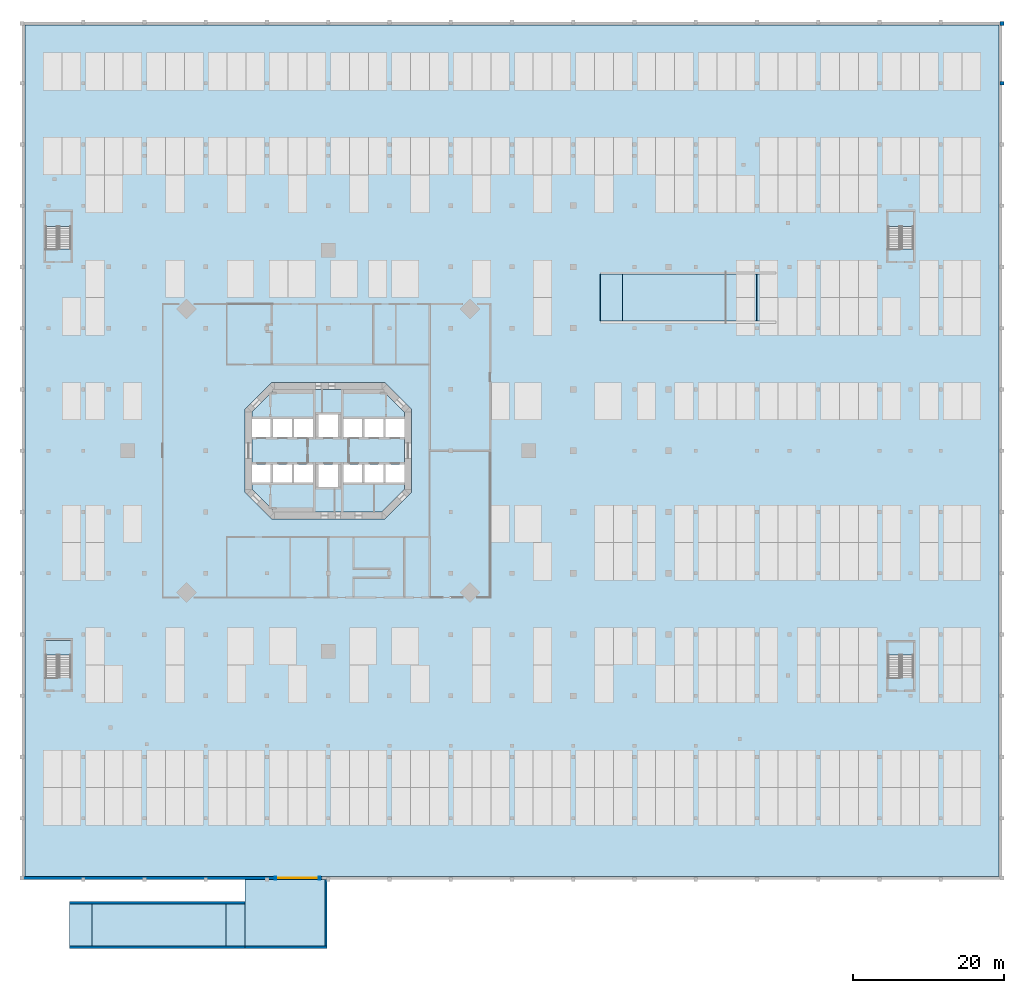
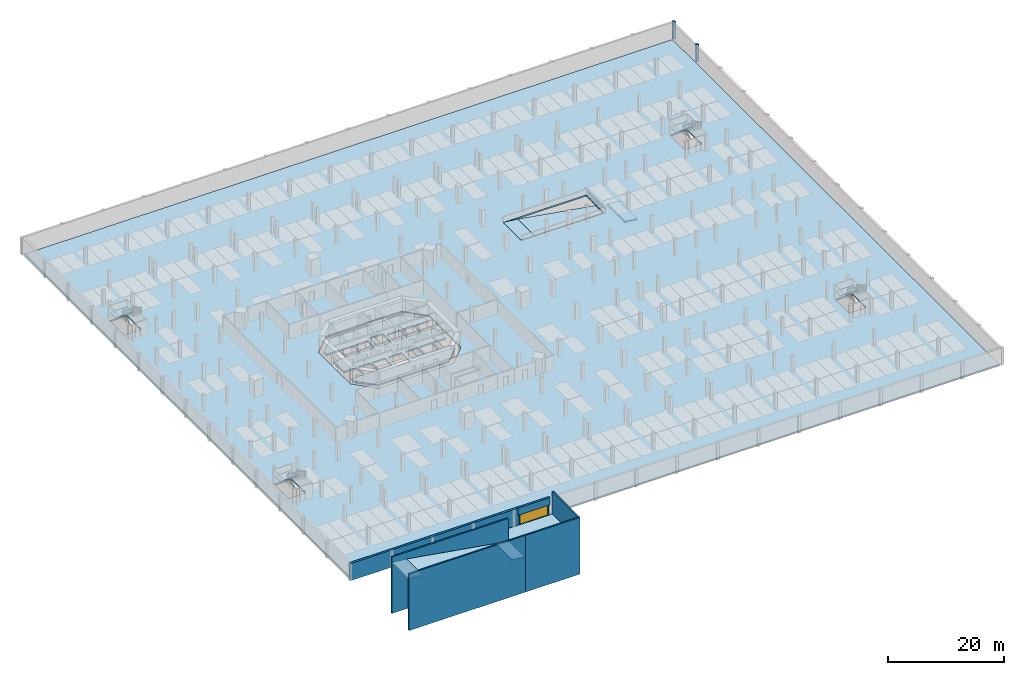
# One storey, part 2 of 14: 13 slabs, 6 walls, 2 columns, 1 beam, 1 door, 1 opening, 4 elements without a shape of their own.
"""IFC4 building model written with IfcOpenShell, lengths in metres."""

import ifcopenshell
import ifcopenshell.guid

model = None  # the IFC model being written
_history = None  # IfcOwnerHistory: only IFC2X3 demands one
_inside = {}  # id of a spatial element -> (the spatial element, [elements in it])
_under = {}  # id of a project, library or spatial element -> (it, [spatial elements below it])
_declared = {}  # id of a project -> (the project, [libraries it declares])
_typed = {}  # id of a type object -> (the type object, [elements of that type])
_made_of = {}  # id of a material, layer set ... -> (it, [elements and type objects made of it])


def new_model(schema):
    """Start an empty IFC model of exactly this schema.

    Asked for "IFC4X3", IfcOpenShell would pick the latest addendum, in which some entities
    have other attributes; the version numbers below select the first issue.
    IFC2X3 requires an IfcOwnerHistory on every rooted entity: one is made here for all.
    """
    global model, _history
    if schema == "IFC4X3":
        model = ifcopenshell.file(schema_version=(4, 3, 0, 0))
    else:
        model = ifcopenshell.file(schema=schema)
    _inside.clear()
    _under.clear()
    _declared.clear()
    _typed.clear()
    _made_of.clear()
    _history = None
    if model.schema == "IFC2X3":
        org = make("IfcOrganization", Name="unknown")
        user = make(
            "IfcPersonAndOrganization",
            ThePerson=make("IfcPerson", FamilyName="unknown"),
            TheOrganization=org,
        )
        app = make(
            "IfcApplication",
            ApplicationDeveloper=org,
            Version="unknown",
            ApplicationFullName="unknown",
            ApplicationIdentifier="unknown",
        )
        _history = make(
            "IfcOwnerHistory",
            OwningUser=user,
            OwningApplication=app,
            ChangeAction="ADDED",
            CreationDate=0,
        )
    return model


def make(cls, **values):
    """One entity of the class cls with the attributes given. An attribute that is None is left unset."""
    return model.create_entity(
        cls, **{name: value for name, value in values.items() if value is not None}
    )


def rooted(cls, **values):
    """An entity with a GlobalId (a new one), such as an element, a storey or a relation."""
    return make(cls, GlobalId=ifcopenshell.guid.new(), OwnerHistory=_history, **values)


def si_unit(unit_type, name, prefix=None):
    """IfcSIUnit, for example si_unit("LENGTHUNIT", "METRE", prefix="MILLI")."""
    return make("IfcSIUnit", UnitType=unit_type, Prefix=prefix, Name=name)


def assignment(units):
    """IfcUnitAssignment: the units of a project."""
    return None if units is None else make("IfcUnitAssignment", Units=units)


def point(xyz):
    """IfcCartesianPoint."""
    return None if xyz is None else make("IfcCartesianPoint", Coordinates=xyz)


def direction(xyz):
    """IfcDirection."""
    return None if xyz is None else make("IfcDirection", DirectionRatios=xyz)


def frame(location, z_axis=None, x_axis=None):
    """IfcAxis2Placement3D, a coordinate frame: its origin and axes. An axis left out is left unset."""
    return make(
        "IfcAxis2Placement3D",
        Location=point(location),
        Axis=direction(z_axis),
        RefDirection=direction(x_axis),
    )


def frame_2d(location, x_axis=None):
    """IfcAxis2Placement2D, a coordinate frame in the plane: its origin and x axis."""
    return make(
        "IfcAxis2Placement2D", Location=point(location), RefDirection=direction(x_axis)
    )


def origin():
    """The frame at (0, 0, 0) with its axes left unset."""
    return frame((0.0, 0.0, 0.0))


def origin_2d():
    """The frame at (0, 0) in the plane with its x axis left unset."""
    return frame_2d((0.0, 0.0))


def place(relative_to, where):
    """IfcLocalPlacement: puts the frame where relative to a parent placement (None: the world)."""
    return make(
        "IfcLocalPlacement", PlacementRelTo=relative_to, RelativePlacement=where
    )


def context(
    kind, dimensions, precision=None, world=None, true_north=None, identifier=None
):
    """IfcGeometricRepresentationContext, for example the 3D "Model" context."""
    return make(
        "IfcGeometricRepresentationContext",
        ContextIdentifier=identifier,
        ContextType=kind,
        CoordinateSpaceDimension=dimensions,
        Precision=precision,
        WorldCoordinateSystem=world,
        TrueNorth=true_north,
    )


def subcontext(parent, identifier, kind, view, scale=None):
    """IfcGeometricRepresentationSubContext, for example "Body" below "Model"."""
    return make(
        "IfcGeometricRepresentationSubContext",
        ContextIdentifier=identifier,
        ContextType=kind,
        ParentContext=parent,
        TargetScale=scale,
        TargetView=view,
    )


def project(units=None, contexts=None):
    """IfcProject with its units and contexts."""
    return rooted(
        "IfcProject",
        Name="project",
        RepresentationContexts=contexts,
        UnitsInContext=assignment(units),
    )


def spatial(cls, under=None, at=None, **own):
    """A site, building, storey or space (cls), placed at a placement, below another one or the project."""
    s = rooted(cls, ObjectPlacement=at, **own)
    if under is not None:
        _under.setdefault(under.id(), (under, []))[1].append(s)
    return s


def polyline(points):
    """IfcPolyline through the points."""
    return make("IfcPolyline", Points=[point(p) for p in points])


def profile(cls, at=None, kind="AREA", **sizes):
    """A parametric profile (cls). Its sizes go by their IFC names, for example OverallWidth=200.0."""
    return make(cls, ProfileType=kind, Position=at, **sizes)


def rectangle(**sizes):
    """IfcRectangleProfileDef."""
    return profile("IfcRectangleProfileDef", **sizes)


def outline(outer, holes=None, kind="AREA"):
    """IfcArbitraryClosedProfileDef: a profile drawn as a closed curve; with holes, ...WithVoids."""
    if holes is None:
        return make("IfcArbitraryClosedProfileDef", ProfileType=kind, OuterCurve=outer)
    return make(
        "IfcArbitraryProfileDefWithVoids",
        ProfileType=kind,
        OuterCurve=outer,
        InnerCurves=holes,
    )


def extrude(swept, where, along, depth):
    """IfcExtrudedAreaSolid: the profile swept, set in the frame where, extruded along a direction by depth."""
    return make(
        "IfcExtrudedAreaSolid",
        SweptArea=swept,
        Position=where,
        ExtrudedDirection=direction(along),
        Depth=depth,
    )


def shape(context_of_items, identifier, shape_type, items):
    """IfcShapeRepresentation: the items that make up one representation, for example the "Body"."""
    return make(
        "IfcShapeRepresentation",
        ContextOfItems=context_of_items,
        RepresentationIdentifier=identifier,
        RepresentationType=shape_type,
        Items=items,
    )


def material(Name=None, Category=None):
    """IfcMaterial."""
    return make("IfcMaterial", Name=Name, Category=Category)


def layer(
    of_material, thickness, ventilated=None, Name=None, Category=None, Priority=None
):
    """IfcMaterialLayer: one layer of a wall or slab, of a material (None: an air gap)."""
    return make(
        "IfcMaterialLayer",
        Material=of_material,
        LayerThickness=thickness,
        IsVentilated=ventilated,
        Name=Name,
        Category=Category,
        Priority=Priority,
    )


def layer_set(layers, Name=None):
    """IfcMaterialLayerSet."""
    return make("IfcMaterialLayerSet", MaterialLayers=layers, LayerSetName=Name)


def material_profile(
    of_material, cross_section, Name=None, Category=None, Priority=None
):
    """IfcMaterialProfile: a cross section and its material."""
    return make(
        "IfcMaterialProfile",
        Name=Name,
        Material=of_material,
        Profile=cross_section,
        Priority=Priority,
        Category=Category,
    )


def profile_set(profiles, Name=None, composite=None):
    """IfcMaterialProfileSet."""
    return make(
        "IfcMaterialProfileSet",
        Name=Name,
        MaterialProfiles=profiles,
        CompositeProfile=composite,
    )


def made_of(thing, what):
    """Note that an element or type object is made of a material, layer set ...; save() writes the relation."""
    if what is not None:
        _made_of.setdefault(what.id(), (what, []))[1].append(thing)
    return thing


def type_object(cls, material=None, **own):
    """A type object (cls), such as IfcWallType, which elements share."""
    return made_of(rooted(cls, **own), material)


def element(
    cls,
    number,
    at=None,
    inside=None,
    cuts=None,
    type_object=None,
    material=None,
    context=None,
    identifier="Body",
    shape_type=None,
    held_by="IfcProductDefinitionShape",
    body=None,
    shapes=None,
    **own,
):
    """One element of the class cls, such as IfcWall. Its Tag is "e" and its number.

    at: its placement. inside: the storey or other place that contains it. cuts: it is an
    opening in that element (IfcRelVoidsElement). A single representation is given by context,
    identifier, shape_type and body (its items); several are given by shapes. held_by: the class
    of the entity that holds the representations. save() writes the other relations.
    """
    e = rooted(cls, Tag="e%d" % number, ObjectPlacement=at, **own)
    if body is not None:
        shapes = [shape(context, identifier, shape_type, body)]
    if shapes is not None:
        e.Representation = make(held_by, Representations=shapes)
    if inside is not None:
        _inside.setdefault(inside.id(), (inside, []))[1].append(e)
    if cuts is not None:
        rooted(
            "IfcRelVoidsElement", RelatingBuildingElement=cuts, RelatedOpeningElement=e
        )
    if type_object is not None:
        _typed.setdefault(type_object.id(), (type_object, []))[1].append(e)
    return made_of(e, material)


def fill(opening, filler):
    """IfcRelFillsElement: the door or window that sits in an opening."""
    return rooted(
        "IfcRelFillsElement",
        RelatingOpeningElement=opening,
        RelatedBuildingElement=filler,
    )


def aggregate(whole, parts):
    """IfcRelAggregates: a whole, such as a stair, and the parts it consists of."""
    return rooted("IfcRelAggregates", RelatingObject=whole, RelatedObjects=parts)


def save(model, path):
    """Write the relations noted so far, then the file.

    IfcRelAggregates (storeys below a building ...), IfcRelContainedInSpatialStructure (elements
    in a storey), IfcRelDefinesByType, IfcRelAssociatesMaterial and IfcRelDeclares: one each for
    every whole, place, type object, material and project.
    """
    for whole, parts in _under.values():
        aggregate(whole, parts)
    for where, things in _inside.values():
        rooted(
            "IfcRelContainedInSpatialStructure",
            RelatedElements=things,
            RelatingStructure=where,
        )
    for kind, things in _typed.values():
        rooted("IfcRelDefinesByType", RelatedObjects=things, RelatingType=kind)
    for what, things in _made_of.values():
        rooted("IfcRelAssociatesMaterial", RelatedObjects=things, RelatingMaterial=what)
    for by, libraries in _declared.values():
        rooted("IfcRelDeclares", RelatingContext=by, RelatedDefinitions=libraries)
    model.write(path)


model = new_model("IFC4")

# Units and contexts
model_context = context("Model", 3, precision=1e-05, world=origin(), true_north=direction((0.0, 1.0)))
body_context = subcontext(model_context, "Body", "Model", "MODEL_VIEW")
ifc_project = project(units=[si_unit("LENGTHUNIT", "METRE"), si_unit("AREAUNIT", "SQUARE_METRE"), si_unit("VOLUMEUNIT", "CUBIC_METRE"), si_unit("PLANEANGLEUNIT", "RADIAN"), si_unit("MASSUNIT", "GRAM", prefix="KILO")], contexts=[model_context])

# Site, building, storey
site_placement = place(None, origin())
site = spatial("IfcSite", under=ifc_project, at=site_placement, CompositionType="ELEMENT")
building_placement = place(site_placement, origin())
building = spatial("IfcBuilding", under=site, at=building_placement, Name="Torre Triforio", CompositionType="ELEMENT")
storey_placement = place(building_placement, frame((0.0, 0.0, -3.60009765625)))
storey = spatial("IfcBuildingStorey", under=building, at=storey_placement, Name="B1", CompositionType="ELEMENT", Elevation=-3.60009765625)

# Columns
ifc_material_1 = material(Name="Concrete C50", Category="concrete")
ifc_material_profile_1 = material_profile(ifc_material_1, rectangle(XDim=0.5, YDim=0.5, at=origin_2d()), Name="RC 500x500")
ifc_profile_set_1 = profile_set([ifc_material_profile_1], Name="Concrete C50")
column_type = type_object("IfcColumnType", Name="Column RC 500x500 C50", PredefinedType="COLUMN", material=ifc_profile_set_1)
for number, where, z_axis, x_axis, name in (
    (1, (89.10009765625, 48.60009765625, 0.0), (0.0, 0.0, 1.0), (1.0, 0.0, 0.0), "COL.G.B1.17-N"),
    (2, (89.10009765625, 56.5, 0.0), (0.0, 0.0, 1.0), (1.0, 0.0, 0.0), "COL.G.B1.17-O"),
):
    element("IfcColumn", number, at=place(storey_placement, frame(where, z_axis=z_axis, x_axis=x_axis)), inside=storey, type_object=column_type, Name=name, PredefinedType="COLUMN", context=body_context, shape_type="SweptSolid", body=[
        extrude(rectangle(XDim=0.5, YDim=0.5, at=origin_2d()), origin(), (0.0, 0.0, 1.0), 3.60009765625),
    ])

# Beam
ifc_material_2 = material(Name="Concrete C40", Category="concrete")
ifc_material_profile_2 = material_profile(ifc_material_2, rectangle(XDim=0.39990234375, YDim=1.5, at=origin_2d()), Name="RC 400x1500")
ifc_profile_set_2 = profile_set([ifc_material_profile_2], Name="Concrete C40")
beam_type = type_object("IfcBeamType", Name="Lintel beam RC 400x1500 C40", PredefinedType="LINTEL", material=ifc_profile_set_2)
beam_placement = place(storey_placement, frame((-7.25, -56.5, 2.85009765625), z_axis=(1.0, 0.0, 0.0), x_axis=(0.0, 1.0, 0.0)))
element("IfcBeam", 3, at=beam_placement, inside=storey, type_object=beam_type, Name="BM.LINTEL.B1.S", PredefinedType="LINTEL", context=body_context, shape_type="SweptSolid", body=[
    extrude(rectangle(XDim=0.39990234375, YDim=1.5, at=origin_2d()), origin(), (0.0, 0.0, 1.0), 6.39990234375),
])

# Slabs
ifc_layer_1 = layer(ifc_material_2, 0.300048828125)
ifc_layer_set_1 = layer_set([ifc_layer_1], Name="Concrete C40")
slab_type_1 = type_object("IfcSlabType", Name="B1 vehicle apron slab 300", PredefinedType="BASESLAB", material=ifc_layer_set_1)
slab_1_placement = place(storey_placement, frame((0.0, 0.0, -0.2998046875)))
element("IfcSlab", 4, at=slab_1_placement, inside=storey, type_object=slab_type_1, Name="B1 vehicle apron", PredefinedType="BASESLAB", context=body_context, shape_type="SweptSolid", body=[
    extrude(outline(polyline([(-11.0, -65.5), (-0.449951171875, -65.5), (-0.449951171875, -56.699951171875), (-11.0, -56.699951171875), (-11.0, -65.5)])), origin(), (0.0, 0.0, 1.0), 0.2998046875),
])
ifc_material_3 = material(Name="Concrete C60", Category="concrete")
ifc_layer_2 = layer(ifc_material_3, 0.320068359375)
ifc_layer_set_2 = layer_set([ifc_layer_2], Name="Concrete C60")
slab_type_2 = type_object("IfcSlabType", Name="Core floor slab 320 mm C60 REI 120", PredefinedType="FLOOR", material=ifc_layer_set_2)
slab_2_placement = place(storey_placement, frame((0.0, 0.0, -0.31982421875)))
element("IfcSlab", 5, at=slab_2_placement, inside=storey, type_object=slab_type_2, Name="Core floor slab", PredefinedType="FLOOR", context=body_context, shape_type="SweptSolid", body=[
    extrude(outline(polyline([(10.10009765625, -5.10009765625), (7.10009765625, -8.10009765625), (-7.10009765625, -8.10009765625), (-10.10009765625, -5.10009765625), (-10.10009765625, -4.199951171875), (-7.60009765625, -4.199951171875), (-7.60009765625, -1.800048828125), (-10.10009765625, -1.800048828125), (-10.10009765625, 1.800048828125), (-7.60009765625, 1.800048828125), (-7.60009765625, 4.199951171875), (-10.10009765625, 4.199951171875), (-10.10009765625, 5.10009765625), (-7.10009765625, 8.10009765625), (7.10009765625, 8.10009765625), (10.10009765625, 5.10009765625), (10.10009765625, 4.199951171875), (7.60009765625, 4.199951171875), (7.60009765625, 1.800048828125), (10.10009765625, 1.800048828125), (10.10009765625, -1.800048828125), (7.60009765625, -1.800048828125), (7.60009765625, -4.199951171875), (10.10009765625, -4.199951171875), (10.10009765625, -5.10009765625)]), holes=[polyline([(-4.800048828125, -1.800048828125), (-7.300048828125, -1.800048828125), (-7.300048828125, -4.199951171875), (-4.800048828125, -4.199951171875), (-4.800048828125, -1.800048828125)]), polyline([(-2.0, -1.800048828125), (-4.5, -1.800048828125), (-4.5, -4.199951171875), (-2.0, -4.199951171875), (-2.0, -1.800048828125)]), polyline([(-4.800048828125, 4.199951171875), (-7.300048828125, 4.199951171875), (-7.300048828125, 1.800048828125), (-4.800048828125, 1.800048828125), (-4.800048828125, 4.199951171875)]), polyline([(-2.0, 4.199951171875), (-4.5, 4.199951171875), (-4.5, 1.800048828125), (-2.0, 1.800048828125), (-2.0, 4.199951171875)]), polyline([(1.300048828125, 4.800048828125), (-1.300048828125, 4.800048828125), (-1.300048828125, 1.800048828125), (1.300048828125, 1.800048828125), (1.300048828125, 4.800048828125)]), polyline([(-1.300048828125, -1.800048828125), (-1.300048828125, -4.800048828125), (1.300048828125, -4.800048828125), (1.300048828125, -1.800048828125), (-1.300048828125, -1.800048828125)]), polyline([(4.5, -1.800048828125), (2.0, -1.800048828125), (2.0, -4.199951171875), (4.5, -4.199951171875), (4.5, -1.800048828125)]), polyline([(7.300048828125, -1.800048828125), (4.800048828125, -1.800048828125), (4.800048828125, -4.199951171875), (7.300048828125, -4.199951171875), (7.300048828125, -1.800048828125)]), polyline([(4.5, 4.199951171875), (2.0, 4.199951171875), (2.0, 1.800048828125), (4.5, 1.800048828125), (4.5, 4.199951171875)]), polyline([(7.300048828125, 4.199951171875), (4.800048828125, 4.199951171875), (4.800048828125, 1.800048828125), (7.300048828125, 1.800048828125), (7.300048828125, 4.199951171875)])]), origin(), (0.0, 0.0, 1.0), 0.31982421875),
])

# Stair, slab
stair_type = type_object("IfcStairType", Name="Egress stair 1400 clear", PredefinedType="NOTDEFINED", material=ifc_material_2)
stair_1_placement = place(storey_placement, origin())
stair_1 = element("IfcStair", 6, at=stair_1_placement, inside=storey, type_object=stair_type, Name="Exit stair BS1 B1 to L00", PredefinedType="NOTDEFINED")
ifc_layer_3 = layer(ifc_material_2, 0.199951171875)
ifc_layer_set_3 = layer_set([ifc_layer_3], Name="Concrete C40")
slab_type_3 = type_object("IfcSlabType", Name="Egress stair landing 200", PredefinedType="LANDING", material=ifc_layer_set_3)
slab_3_placement = place(storey_placement, frame((0.0, 0.0, 1.60009765625)))
slab_3 = element("IfcSlab", 7, at=slab_3_placement, type_object=slab_type_3, Name="BS1 landing 1", PredefinedType="LANDING", context=body_context, shape_type="SweptSolid", body=[
    extrude(outline(polyline([(-37.375, -27.02490234375), (-34.02490234375, -27.02490234375), (-34.02490234375, -25.074951171875), (-37.375, -25.074951171875), (-37.375, -27.02490234375)])), origin(), (0.0, 0.0, 1.0), 0.199951171875),
])
aggregate(stair_1, [slab_3])

stair_2_placement = place(storey_placement, origin())
stair_2 = element("IfcStair", 8, at=stair_2_placement, inside=storey, type_object=stair_type, Name="Exit stair BS2 B1 to L00", PredefinedType="NOTDEFINED")
slab_4_placement = place(storey_placement, frame((0.0, 0.0, 1.60009765625)))
slab_4 = element("IfcSlab", 9, at=slab_4_placement, type_object=slab_type_3, Name="BS2 landing 1", PredefinedType="LANDING", context=body_context, shape_type="SweptSolid", body=[
    extrude(outline(polyline([(-37.375, 29.675048828125), (-34.02490234375, 29.675048828125), (-34.02490234375, 31.625), (-37.375, 31.625), (-37.375, 29.675048828125)])), origin(), (0.0, 0.0, 1.0), 0.199951171875),
])
aggregate(stair_2, [slab_4])

stair_3_placement = place(storey_placement, origin())
stair_3 = element("IfcStair", 10, at=stair_3_placement, inside=storey, type_object=stair_type, Name="Exit stair BS3 B1 to L00", PredefinedType="NOTDEFINED")
slab_5_placement = place(storey_placement, frame((0.0, 0.0, 1.60009765625)))
slab_5 = element("IfcSlab", 11, at=slab_5_placement, type_object=slab_type_3, Name="BS3 landing 1", PredefinedType="LANDING", context=body_context, shape_type="SweptSolid", body=[
    extrude(outline(polyline([(74.02490234375, -27.02490234375), (77.375, -27.02490234375), (77.375, -25.31494140625), (74.02490234375, -25.31494140625), (74.02490234375, -27.02490234375)])), origin(), (0.0, 0.0, 1.0), 0.199951171875),
])
aggregate(stair_3, [slab_5])

stair_4_placement = place(storey_placement, origin())
stair_4 = element("IfcStair", 12, at=stair_4_placement, inside=storey, type_object=stair_type, Name="Exit stair BS4 B1 to L00", PredefinedType="NOTDEFINED")
slab_6_placement = place(storey_placement, frame((0.0, 0.0, 1.60009765625)))
slab_6 = element("IfcSlab", 13, at=slab_6_placement, type_object=slab_type_3, Name="BS4 landing 1", PredefinedType="LANDING", context=body_context, shape_type="SweptSolid", body=[
    extrude(outline(polyline([(74.02490234375, 29.675048828125), (77.375, 29.675048828125), (77.375, 31.625), (74.02490234375, 31.625), (74.02490234375, 29.675048828125)])), origin(), (0.0, 0.0, 1.0), 0.199951171875),
])
aggregate(stair_4, [slab_6])

# Slabs
ifc_layer_4 = layer(ifc_material_1, 0.320068359375)
ifc_layer_set_4 = layer_set([ifc_layer_4], Name="Concrete C50")
slab_type_4 = type_object("IfcSlabType", Name="Floor slab 320 C50", PredefinedType="FLOOR", material=ifc_layer_set_4)
slab_7_placement = place(storey_placement, frame((0.0, 0.0, -0.31982421875)))
element("IfcSlab", 14, at=slab_7_placement, inside=storey, type_object=slab_type_4, Name="SL.B1", PredefinedType="FLOOR", context=body_context, shape_type="SweptSolid", body=[
    extrude(outline(polyline([(88.699951171875, 56.300048828125), (-40.10009765625, 56.300048828125), (-40.10009765625, -56.300048828125), (88.699951171875, -56.300048828125), (88.699951171875, 56.300048828125)]), holes=[polyline([(7.472900390625, 9.0), (11.0, 5.472900390625), (11.0, -5.472900390625), (7.472900390625, -9.0), (-7.472900390625, -9.0), (-11.0, -5.472900390625), (-11.0, 5.472900390625), (-7.472900390625, 9.0), (7.472900390625, 9.0)]), polyline([(74.02490234375, -25.31494140625), (77.375, -25.31494140625), (77.375, -29.9951171875), (74.02490234375, -29.9951171875), (74.02490234375, -25.31494140625)]), polyline([(-37.375, -25.074951171875), (-34.02490234375, -25.074951171875), (-34.02490234375, -29.9951171875), (-37.375, -29.9951171875), (-37.375, -25.074951171875)]), polyline([(36.0, 23.35009765625), (52.5, 23.35009765625), (52.5, 17.14990234375), (36.0, 17.14990234375), (36.0, 23.35009765625)]), polyline([(-34.02490234375, 31.625), (-34.02490234375, 26.705078125), (-37.375, 26.705078125), (-37.375, 31.625), (-34.02490234375, 31.625)]), polyline([(77.375, 31.625), (77.375, 26.705078125), (74.02490234375, 26.705078125), (74.02490234375, 31.625), (77.375, 31.625)])]), origin(), (0.0, 0.0, 1.0), 0.31982421875),
])
ifc_layer_5 = layer(ifc_material_2, 0.300048828125)
ifc_layer_set_5 = layer_set([ifc_layer_5], Name="Concrete C40")
slab_type_5 = type_object("IfcSlabType", Name="Street vehicle ramp slab 300", PredefinedType="USERDEFINED", material=ifc_layer_set_5)
slab_8_placement = place(storey_placement, frame((-34.179931640625, -65.5, 3.60009765625), z_axis=(0.108962716765, 0.0, 0.99404583715), x_axis=(0.99404583715, 0.0, -0.108962716765)))
element("IfcSlab", 15, at=slab_8_placement, inside=storey, type_object=slab_type_5, Name="Car ramp from the street to B1 top transition", ObjectType="VEHICLE_RAMP", PredefinedType="USERDEFINED", context=body_context, shape_type="SweptSolid", body=[
    extrude(outline(polyline([(0.0, 0.0), (2.93741170263491, 0.0), (2.93741170263491, 5.60009765625), (0.0, 5.60009765625), (0.0, 0.0)])), origin(), (0.0, 0.0, -1.0), 0.300048828125),
])
slab_9_placement = place(storey_placement, frame((-31.260009765625, -65.5, 3.280029296875), z_axis=(0.164396788448, 0.0, 0.986394290306), x_axis=(0.986394290306, 0.0, -0.164396788448)))
element("IfcSlab", 16, at=slab_9_placement, inside=storey, type_object=slab_type_5, Name="Car ramp from the street to B1 main flight", ObjectType="VEHICLE_RAMP", PredefinedType="USERDEFINED", context=body_context, shape_type="SweptSolid", body=[
    extrude(outline(polyline([(0.0, 0.0), (18.004980300645187, 0.0), (18.004980300645187, 5.60009765625), (0.0, 5.60009765625), (0.0, 0.0)])), origin(), (0.0, 0.0, -1.0), 0.300048828125),
])
slab_10_placement = place(storey_placement, frame((-13.5, -65.5, 0.320068359375), z_axis=(0.126609578493, 0.0, 0.991952627213), x_axis=(0.991952627213, 0.0, -0.126609578493)))
element("IfcSlab", 17, at=slab_10_placement, inside=storey, type_object=slab_type_5, Name="Car ramp from the street to B1 bottom transition", ObjectType="VEHICLE_RAMP", PredefinedType="USERDEFINED", context=body_context, shape_type="SweptSolid", body=[
    extrude(outline(polyline([(0.0, 0.0), (2.5202816459342228, 0.0), (2.5202816459342228, 5.600097656250001), (0.0, 5.600097656250001), (0.0, 0.0)])), origin(), (0.0, 0.0, -1.0), 0.300048828125),
])
ifc_layer_6 = layer(ifc_material_2, 0.300048828125)
ifc_layer_set_6 = layer_set([ifc_layer_6], Name="Concrete C40")
slab_type_6 = type_object("IfcSlabType", Name="Vehicle ramp slab 300", PredefinedType="USERDEFINED", material=ifc_layer_set_6)
slab_11_placement = place(storey_placement, frame((36.0, 17.14990234375, 0.0), z_axis=(0.108880588253, 0.0, 0.994054836265), x_axis=(0.994054836265, 0.0, -0.108880588253)))
element("IfcSlab", 18, at=slab_11_placement, inside=storey, type_object=slab_type_6, Name="Car ramp B1 to B2 top transition", ObjectType="VEHICLE_RAMP", PredefinedType="USERDEFINED", context=body_context, shape_type="SweptSolid", body=[
    extrude(outline(polyline([(0.0, 0.0), (2.937385110434545, 0.0), (2.937385110434545, 6.200195312499999), (0.0, 6.200195312499999), (0.0, 0.0)])), origin(), (0.0, 0.0, -1.0), 0.300048828125),
])
slab_12_placement = place(storey_placement, frame((38.919921875, 17.14990234375, -0.31982421875), z_axis=(0.164396788448, 0.0, 0.986394290306), x_axis=(0.986394290306, 0.0, -0.164396788448)))
element("IfcSlab", 19, at=slab_12_placement, inside=storey, type_object=slab_type_6, Name="Car ramp B1 to B2 main flight", ObjectType="VEHICLE_RAMP", PredefinedType="USERDEFINED", context=body_context, shape_type="SweptSolid", body=[
    extrude(outline(polyline([(0.0, 0.0), (18.004980300645187, 0.0), (18.004980300645187, 6.2001953125), (0.0, 6.2001953125), (0.0, 0.0)])), origin(), (0.0, 0.0, -1.0), 0.300048828125),
])
slab_13_placement = place(storey_placement, frame((56.679931640625, 17.14990234375, -3.27978515625), z_axis=(0.126609578493, 0.0, 0.991952627213), x_axis=(0.991952627213, 0.0, -0.126609578493)))
element("IfcSlab", 20, at=slab_13_placement, inside=storey, type_object=slab_type_6, Name="Car ramp B1 to B2 bottom transition", ObjectType="VEHICLE_RAMP", PredefinedType="USERDEFINED", context=body_context, shape_type="SweptSolid", body=[
    extrude(outline(polyline([(0.0, 0.0), (2.5202816459342228, 0.0), (2.5202816459342228, 6.200195312499999), (0.0, 6.200195312499999), (0.0, 0.0)])), origin(), (0.0, 0.0, -1.0), 0.300048828125),
])

# Walls
ifc_layer_7 = layer(ifc_material_2, 0.300048828125)
ifc_layer_set_7 = layer_set([ifc_layer_7], Name="Concrete C40")
wall_type_1 = type_object("IfcWallType", Name="Ramp side wall 300", PredefinedType="STANDARD", material=ifc_layer_set_7)
for number, where, z_axis, x_axis, name in (
    (21, (-34.179931640625, -65.64990234375, -7.199951171875), (0.0, 0.0, 1.0), (1.0, 0.0, 0.0), "Car ramp from the street to B1 side wall"),
    (22, (-34.179931640625, -59.75, -7.199951171875), (0.0, 0.0, 1.0), (1.0, 0.0, 0.0), "Car ramp from the street to B1 side wall"),
):
    element("IfcWall", number, at=place(storey_placement, frame(where, z_axis=z_axis, x_axis=x_axis)), inside=storey, type_object=wall_type_1, Name=name, PredefinedType="STANDARD", context=body_context, shape_type="SweptSolid", body=[
        extrude(outline(polyline([(0.0, 0.0), (23.179931640625, 0.0), (23.179931640625, 11.900146484375), (0.0, 11.900146484375), (0.0, 0.0)])), frame((0.0, 0.14990234375, 0.0), z_axis=(0.0, -1.0, 0.0), x_axis=(1.0, 0.0, 0.0)), (0.0, 0.0, 1.0), 0.300048828125),
    ])
wall_1_placement = place(storey_placement, frame((-11.0, -65.64990234375, -7.199951171875), z_axis=(0.0, 0.0, 1.0), x_axis=(1.0, 0.0, 0.0)))
element("IfcWall", 23, at=wall_1_placement, inside=storey, type_object=wall_type_1, Name="Apron retaining wall south", PredefinedType="STANDARD", context=body_context, shape_type="SweptSolid", body=[
    extrude(rectangle(XDim=10.85009765625, YDim=0.300048828125, at=frame_2d((5.425048828125, 0.0))), origin(), (0.0, 0.0, 1.0), 11.900146484375),
])
wall_2_placement = place(storey_placement, frame((-0.300048828125, -65.5, -7.199951171875), z_axis=(0.0, 0.0, 1.0), x_axis=(0.0, 1.0, 0.0)))
element("IfcWall", 24, at=wall_2_placement, inside=storey, type_object=wall_type_1, Name="Apron retaining wall east", PredefinedType="STANDARD", context=body_context, shape_type="SweptSolid", body=[
    extrude(rectangle(XDim=8.800048828125, YDim=0.300048828125, at=frame_2d((4.39990234375, 0.0))), origin(), (0.0, 0.0, 1.0), 11.900146484375),
])
ifc_layer_8 = layer(ifc_material_2, 0.39990234375)
ifc_layer_set_8 = layer_set([ifc_layer_8], Name="Concrete C40")
wall_type_2 = type_object("IfcWallType", Name="Retaining wall 400 C40", PredefinedType="SOLIDWALL", material=ifc_layer_set_8)
wall_3_placement = place(storey_placement, frame((-40.5, -56.5, 0.0), z_axis=(0.0, 0.0, 1.0), x_axis=(1.0, 0.0, 0.0)))
element("IfcWall", 25, at=wall_3_placement, inside=storey, type_object=wall_type_2, Name="WL.RET.B1.S.1", PredefinedType="SOLIDWALL", context=body_context, shape_type="SweptSolid", body=[
    extrude(rectangle(XDim=33.449951171875, YDim=0.39990234375, at=frame_2d((16.72509765625, 0.0))), origin(), (0.0, 0.0, 1.0), 3.60009765625),
])

# Wall, opening, door
ifc_layer_9 = layer(ifc_material_2, 0.39990234375)
ifc_layer_set_9 = layer_set([ifc_layer_9], Name="Concrete C40")
wall_type_3 = type_object("IfcWallType", Name="Vehicle gate surround wall 400", PredefinedType="STANDARD", material=ifc_layer_set_9)
wall_4_placement = place(storey_placement, frame((-7.050048828125, -56.5, 0.0), z_axis=(0.0, 0.0, 1.0), x_axis=(1.0, 0.0, 0.0)))
wall_4 = element("IfcWall", 26, at=wall_4_placement, inside=storey, type_object=wall_type_3, Name="Vehicle gate surround wall", PredefinedType="STANDARD", context=body_context, shape_type="SweptSolid", body=[
    extrude(rectangle(XDim=6.0, YDim=0.39990234375, at=frame_2d((3.0, 0.0))), origin(), (0.0, 0.0, 1.0), 2.10009765625),
])
opening_placement = place(wall_4_placement, frame((0.199951171875, 0.0, 0.0)))
opening = element("IfcOpeningElement", 27, at=opening_placement, cuts=wall_4, Name="Opening VG1", PredefinedType="OPENING", context=body_context, shape_type="SweptSolid", body=[
    extrude(rectangle(XDim=5.60009765625, YDim=2.10009765625, at=frame_2d((2.800048828125, 1.050048828125))), frame((0.0, 0.2099609375, 0.0), z_axis=(0.0, -1.0, 0.0), x_axis=(1.0, 0.0, 0.0)), (0.0, 0.0, 1.0), 0.419921875),
])
ifc_material_4 = material(Name="Galvanised roller shutter slats")
door_type = type_object("IfcDoorType", Name="Vehicle gate 5600 x 2100", OperationType="ROLLINGUP", PredefinedType="GATE", material=ifc_material_4)
door_placement = place(opening_placement, frame((5.60009765625, 0.0, 0.0), z_axis=(0.0, 0.0, 1.0), x_axis=(-1.0, 0.0, 0.0)))
door = element("IfcDoor", 28, at=door_placement, inside=storey, type_object=door_type, Name="Vehicle gate VG1", OperationType="SINGLE_SWING_LEFT", OverallHeight=2.10009765625, OverallWidth=5.60009765625, PredefinedType="GATE", context=body_context, shape_type="SweptSolid", body=[
    extrude(rectangle(XDim=5.60009765625, YDim=2.10009765625, at=frame_2d((2.800048828125, 1.050048828125))), frame((0.0, 0.02490234375, 0.0), z_axis=(0.0, -1.0, 0.0), x_axis=(1.0, 0.0, 0.0)), (0.0, 0.0, 1.0), 0.050048828125),
])
fill(opening, door)

save(model, "model.ifc")
